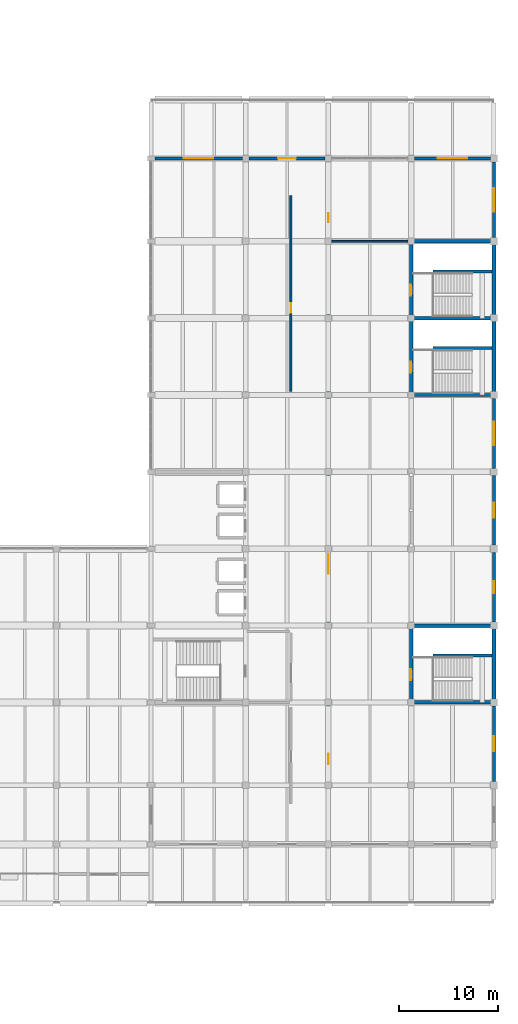
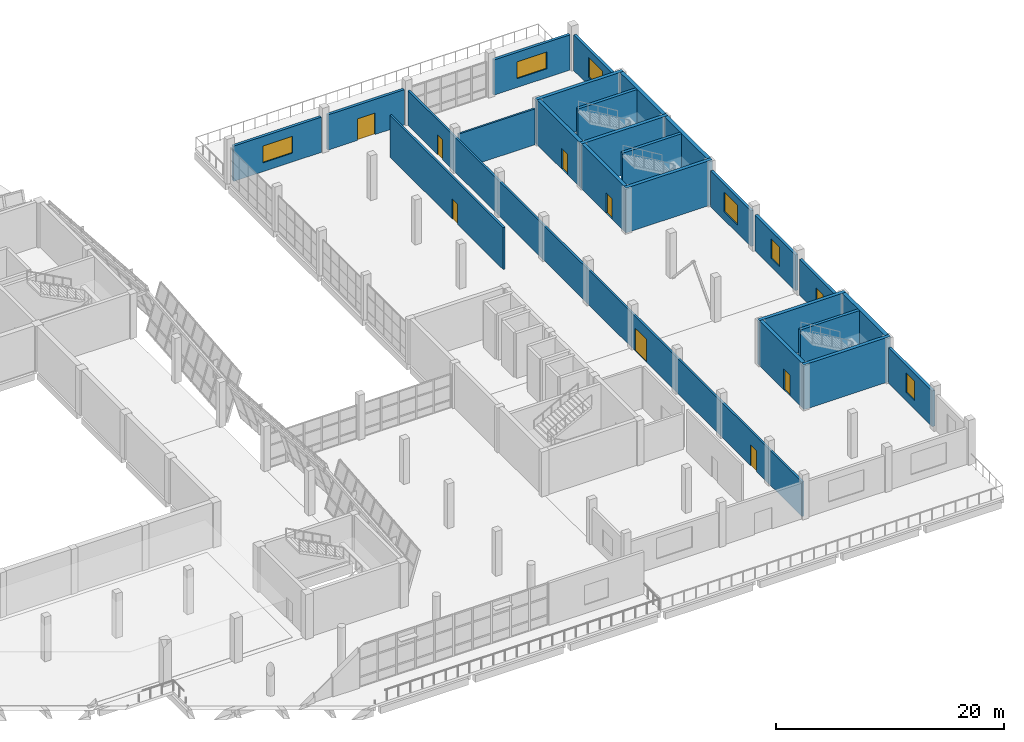
# One storey, part 69 of 79: 25 walls, 8 doors, 7 windows, 15 openings.
"""IFC4 building model written with IfcOpenShell, lengths in metres."""

from ifc_helpers import new_model, si_unit, direction, frame, frame_2d, origin, place, context, subcontext, project, spatial, rectangle, extrude, material, layer, layer_set, type_object, element, fill, save


model = new_model("IFC4")

# Units and contexts
model_context = context("Model", 3, precision=1e-05, world=origin(), true_north=direction((0.0, 1.0)))
body_context = subcontext(model_context, "Body", "Model", "MODEL_VIEW")
ifc_project = project(units=[si_unit("LENGTHUNIT", "METRE"), si_unit("AREAUNIT", "SQUARE_METRE"), si_unit("VOLUMEUNIT", "CUBIC_METRE"), si_unit("PLANEANGLEUNIT", "RADIAN"), si_unit("MASSUNIT", "GRAM", prefix="KILO")], contexts=[model_context])

# Site, building, storey
site_placement = place(None, origin())
site = spatial("IfcSite", under=ifc_project, at=site_placement, CompositionType="ELEMENT")
building_placement = place(site_placement, origin())
building = spatial("IfcBuilding", under=site, at=building_placement, Name="Pellamere Symphony Hall", CompositionType="ELEMENT")
storey_placement = place(building_placement, frame((0.0, 0.0, 10.199951171875)))
storey = spatial("IfcBuildingStorey", under=building, at=storey_placement, Name="L02", CompositionType="ELEMENT", Elevation=10.199951171875)

# Wall, opening, window
ifc_material_1 = material(Name="Architectural Limestone-Clad Insulated Backing Assembly", Category="masonry")
ifc_layer_1 = layer(ifc_material_1, 0.280029296875, Name="Architectural Limestone-Clad Insulated Backing Assembly")
ifc_layer_set_1 = layer_set([ifc_layer_1], Name="Architectural Limestone-Clad Insulated Backing Assembly")
wall_type_1 = type_object("IfcWallType", Name="Exterior Wall EW-03 280mm", PredefinedType="SOLIDWALL", material=ifc_layer_set_1)
wall_1_placement = place(storey_placement, frame((138.375, 93.60009765625, 0.0), z_axis=(0.0, 0.0, 1.0), x_axis=(1.0, 0.0, 0.0)))
wall_1 = element("IfcWall", 1, at=wall_1_placement, inside=storey, type_object=wall_type_1, Name="Exterior Wall EW-03-101 (L02)", PredefinedType="SOLIDWALL", context=body_context, shape_type="SweptSolid", body=[
    extrude(rectangle(XDim=8.89990234375, YDim=0.280029296875, at=frame_2d((4.449951171875, 0.0))), origin(), (0.0, 0.0, 1.0), 3.77001953125),
])
opening_1_placement = place(wall_1_placement, frame((2.949951171875, 0.0, 0.949951171875)))
opening_1 = element("IfcOpeningElement", 2, at=opening_1_placement, cuts=wall_1, Name="Opening W065", PredefinedType="OPENING", context=body_context, shape_type="SweptSolid", body=[
    extrude(rectangle(XDim=3.0, YDim=1.800048828125, at=frame_2d((1.5, 0.89990234375))), frame((0.0, 0.14990234375, 0.0), z_axis=(0.0, -1.0, 0.0), x_axis=(1.0, 0.0, 0.0)), (0.0, 0.0, 1.0), 0.300048828125),
])
ifc_material_2 = material(Name="Thermally Broken Aluminium Triple-Glazed Acoustic Window", Category="aluminium")
window_type_1 = type_object("IfcWindowType", Name="Window WN-16 3000x1800", PartitioningType="TRIPLE_PANEL_VERTICAL", PredefinedType="WINDOW", material=ifc_material_2)
window_1_placement = place(opening_1_placement, origin())
window_1 = element("IfcWindow", 3, at=window_1_placement, inside=storey, type_object=window_type_1, Name="Exterior Window W065 (L02)", OverallHeight=1.800048828125, OverallWidth=3.0, PartitioningType="SINGLE_PANEL", PredefinedType="WINDOW", context=body_context, shape_type="SweptSolid", body=[
    extrude(rectangle(XDim=3.0, YDim=1.800048828125, at=frame_2d((1.5, 0.89990234375))), frame((0.0, 0.030029296875, 0.0), z_axis=(0.0, -1.0, 0.0), x_axis=(1.0, 0.0, 0.0)), (0.0, 0.0, 1.0), 0.06005859375),
])
fill(opening_1, window_1)

# Wall, opening, door
wall_2_placement = place(storey_placement, frame((147.925048828125, 93.60009765625, 0.0), z_axis=(0.0, 0.0, 1.0), x_axis=(1.0, 0.0, 0.0)))
wall_2 = element("IfcWall", 4, at=wall_2_placement, inside=storey, type_object=wall_type_1, Name="Exterior Wall EW-03-102 (L02)", PredefinedType="SOLIDWALL", context=body_context, shape_type="SweptSolid", body=[
    extrude(rectangle(XDim=7.75, YDim=0.280029296875, at=frame_2d((3.875, 0.0))), origin(), (0.0, 0.0, 1.0), 3.77001953125),
])
opening_2_placement = place(wall_2_placement, frame((2.97509765625, 0.0, 0.0)))
opening_2 = element("IfcOpeningElement", 5, at=opening_2_placement, cuts=wall_2, Name="Opening TD-10", PredefinedType="OPENING", context=body_context, shape_type="SweptSolid", body=[
    extrude(rectangle(XDim=1.800048828125, YDim=2.300048828125, at=frame_2d((0.89990234375, 1.14990234375))), frame((0.0, 0.14990234375, 0.0), z_axis=(0.0, -1.0, 0.0), x_axis=(1.0, 0.0, 0.0)), (0.0, 0.0, 1.0), 0.300048828125),
])
ifc_material_3 = material(Name="Thermally Broken Bronze-Anodised Aluminium Acoustic Door", Category="aluminium")
door_type_1 = type_object("IfcDoorType", Name="Exterior Door ED-06 1800x2300", OperationType="NOTDEFINED", PredefinedType="DOOR", material=ifc_material_3)
door_1_placement = place(opening_2_placement, origin())
door_1 = element("IfcDoor", 6, at=door_1_placement, inside=storey, type_object=door_type_1, Name="North Artists Roof Terrace Door", OperationType="DOUBLE_DOOR_SINGLE_SWING", OverallHeight=2.300048828125, OverallWidth=1.800048828125, PredefinedType="DOOR", context=body_context, shape_type="SweptSolid", body=[
    extrude(rectangle(XDim=1.800048828125, YDim=2.300048828125, at=frame_2d((0.89990234375, 1.14990234375))), frame((0.0, 0.02490234375, 0.0), z_axis=(0.0, -1.0, 0.0), x_axis=(1.0, 0.0, 0.0)), (0.0, 0.0, 1.0), 0.050048828125),
])
fill(opening_2, door_1)

# Wall, opening, window
wall_3_placement = place(storey_placement, frame((164.72509765625, 93.60009765625, 0.0), z_axis=(0.0, 0.0, 1.0), x_axis=(1.0, 0.0, 0.0)))
wall_3 = element("IfcWall", 7, at=wall_3_placement, inside=storey, type_object=wall_type_1, Name="Exterior Wall EW-03-103 (L02)", PredefinedType="SOLIDWALL", context=body_context, shape_type="SweptSolid", body=[
    extrude(rectangle(XDim=7.71484375, YDim=0.280029296875, at=frame_2d((3.857421875, 0.0))), origin(), (0.0, 0.0, 1.0), 3.77001953125),
])
opening_3_placement = place(wall_3_placement, frame((2.357421875, 0.0, 0.949951171875)))
opening_3 = element("IfcOpeningElement", 8, at=opening_3_placement, cuts=wall_3, Name="Opening W066", PredefinedType="OPENING", context=body_context, shape_type="SweptSolid", body=[
    extrude(rectangle(XDim=3.0, YDim=1.800048828125, at=frame_2d((1.5, 0.89990234375))), frame((0.0, 0.14990234375, 0.0), z_axis=(0.0, -1.0, 0.0), x_axis=(1.0, 0.0, 0.0)), (0.0, 0.0, 1.0), 0.300048828125),
])
window_2_placement = place(opening_3_placement, origin())
window_2 = element("IfcWindow", 9, at=window_2_placement, inside=storey, type_object=window_type_1, Name="Exterior Window W066 (L02)", OverallHeight=1.800048828125, OverallWidth=3.0, PartitioningType="SINGLE_PANEL", PredefinedType="WINDOW", context=body_context, shape_type="SweptSolid", body=[
    extrude(rectangle(XDim=3.0, YDim=1.800048828125, at=frame_2d((1.5, 0.89990234375))), frame((0.0, 0.030029296875, 0.0), z_axis=(0.0, -1.0, 0.0), x_axis=(1.0, 0.0, 0.0)), (0.0, 0.0, 1.0), 0.06005859375),
])
fill(opening_3, window_2)

wall_4_placement = place(storey_placement, frame((172.800048828125, 30.360107421875, 0.0), z_axis=(0.0, 0.0, 1.0), x_axis=(0.0, 1.0, 0.0)))
wall_4 = element("IfcWall", 10, at=wall_4_placement, inside=storey, type_object=wall_type_1, Name="Exterior Wall EW-03-105 (L02)", PredefinedType="SOLIDWALL", context=body_context, shape_type="SweptSolid", body=[
    extrude(rectangle(XDim=7.679931640625, YDim=0.280029296875, at=frame_2d((3.83984375, 0.0))), origin(), (0.0, 0.0, 1.0), 3.820068359375),
])
opening_4_placement = place(wall_4_placement, frame((3.090087890625, 0.0, 0.89990234375)))
opening_4 = element("IfcOpeningElement", 11, at=opening_4_placement, cuts=wall_4, Name="Opening W068", PredefinedType="OPENING", context=body_context, shape_type="SweptSolid", body=[
    extrude(rectangle(XDim=1.5, YDim=2.10009765625, at=frame_2d((0.75, 1.050048828125))), frame((0.0, 0.14990234375, 0.0), z_axis=(0.0, -1.0, 0.0), x_axis=(1.0, 0.0, 0.0)), (0.0, 0.0, 1.0), 0.300048828125),
])
window_type_2 = type_object("IfcWindowType", Name="Window WN-01 1500x2100", PartitioningType="SINGLE_PANEL", PredefinedType="WINDOW", material=ifc_material_2)
window_3_placement = place(opening_4_placement, origin())
window_3 = element("IfcWindow", 12, at=window_3_placement, inside=storey, type_object=window_type_2, Name="Exterior Window W068 (L02)", OverallHeight=2.10009765625, OverallWidth=1.5, PartitioningType="SINGLE_PANEL", PredefinedType="WINDOW", context=body_context, shape_type="SweptSolid", body=[
    extrude(rectangle(XDim=1.5, YDim=2.10009765625, at=frame_2d((0.75, 1.050048828125))), frame((0.0, 0.030029296875, 0.0), z_axis=(0.0, -1.0, 0.0), x_axis=(1.0, 0.0, 0.0)), (0.0, 0.0, 1.0), 0.06005859375),
])
fill(opening_4, window_3)

wall_5_placement = place(storey_placement, frame((172.800048828125, 46.56005859375, 0.0), z_axis=(0.0, 0.0, 1.0), x_axis=(0.0, 1.0, 0.0)))
wall_5 = element("IfcWall", 13, at=wall_5_placement, inside=storey, type_object=wall_type_1, Name="Exterior Wall EW-03-106 (L02)", PredefinedType="SOLIDWALL", context=body_context, shape_type="SweptSolid", body=[
    extrude(rectangle(XDim=7.079833984375, YDim=0.280029296875, at=frame_2d((3.5400390625, 0.0))), origin(), (0.0, 0.0, 1.0), 3.820068359375),
])
opening_5_placement = place(wall_5_placement, frame((2.93994140625, 0.0, 0.89990234375)))
opening_5 = element("IfcOpeningElement", 14, at=opening_5_placement, cuts=wall_5, Name="Opening W069", PredefinedType="OPENING", context=body_context, shape_type="SweptSolid", body=[
    extrude(rectangle(XDim=1.199951171875, YDim=1.64990234375, at=frame_2d((0.60009765625, 0.824951171875))), frame((0.0, 0.14990234375, 0.0), z_axis=(0.0, -1.0, 0.0), x_axis=(1.0, 0.0, 0.0)), (0.0, 0.0, 1.0), 0.300048828125),
])
window_type_3 = type_object("IfcWindowType", Name="Window WN-07 1200x1650", PartitioningType="SINGLE_PANEL", PredefinedType="WINDOW", material=ifc_material_2)
window_4_placement = place(opening_5_placement, origin())
window_4 = element("IfcWindow", 15, at=window_4_placement, inside=storey, type_object=window_type_3, Name="Exterior Window W069 (L02)", OverallHeight=1.64990234375, OverallWidth=1.199951171875, PartitioningType="SINGLE_PANEL", PredefinedType="WINDOW", context=body_context, shape_type="SweptSolid", body=[
    extrude(rectangle(XDim=1.199951171875, YDim=1.64990234375, at=frame_2d((0.60009765625, 0.824951171875))), frame((0.0, 0.030029296875, 0.0), z_axis=(0.0, -1.0, 0.0), x_axis=(1.0, 0.0, 0.0)), (0.0, 0.0, 1.0), 0.06005859375),
])
fill(opening_5, window_4)

wall_6_placement = place(storey_placement, frame((172.800048828125, 54.360107421875, 0.0), z_axis=(0.0, 0.0, 1.0), x_axis=(0.0, 1.0, 0.0)))
wall_6 = element("IfcWall", 16, at=wall_6_placement, inside=storey, type_object=wall_type_1, Name="Exterior Wall EW-03-107 (L02)", PredefinedType="SOLIDWALL", context=body_context, shape_type="SweptSolid", body=[
    extrude(rectangle(XDim=7.079833984375, YDim=0.280029296875, at=frame_2d((3.5400390625, 0.0))), origin(), (0.0, 0.0, 1.0), 3.820068359375),
])
opening_6_placement = place(wall_6_placement, frame((2.7900390625, 0.0, 0.89990234375)))
opening_6 = element("IfcOpeningElement", 17, at=opening_6_placement, cuts=wall_6, Name="Opening W070", PredefinedType="OPENING", context=body_context, shape_type="SweptSolid", body=[
    extrude(rectangle(XDim=1.5, YDim=2.10009765625, at=frame_2d((0.75, 1.050048828125))), frame((0.0, 0.14990234375, 0.0), z_axis=(0.0, -1.0, 0.0), x_axis=(1.0, 0.0, 0.0)), (0.0, 0.0, 1.0), 0.300048828125),
])
window_5_placement = place(opening_6_placement, origin())
window_5 = element("IfcWindow", 18, at=window_5_placement, inside=storey, type_object=window_type_2, Name="Exterior Window W070 (L02)", OverallHeight=2.10009765625, OverallWidth=1.5, PartitioningType="SINGLE_PANEL", PredefinedType="WINDOW", context=body_context, shape_type="SweptSolid", body=[
    extrude(rectangle(XDim=1.5, YDim=2.10009765625, at=frame_2d((0.75, 1.050048828125))), frame((0.0, 0.030029296875, 0.0), z_axis=(0.0, -1.0, 0.0), x_axis=(1.0, 0.0, 0.0)), (0.0, 0.0, 1.0), 0.06005859375),
])
fill(opening_6, window_5)

wall_7_placement = place(storey_placement, frame((172.800048828125, 62.159912109375, 0.0), z_axis=(0.0, 0.0, 1.0), x_axis=(0.0, 1.0, 0.0)))
wall_7 = element("IfcWall", 19, at=wall_7_placement, inside=storey, type_object=wall_type_1, Name="Exterior Wall EW-03-108 (L02)", PredefinedType="SOLIDWALL", context=body_context, shape_type="SweptSolid", body=[
    extrude(rectangle(XDim=7.080078125, YDim=0.280029296875, at=frame_2d((3.5400390625, 0.0))), origin(), (0.0, 0.0, 1.0), 3.820068359375),
])
opening_7_placement = place(wall_7_placement, frame((2.340087890625, 0.0, 0.89990234375)))
opening_7 = element("IfcOpeningElement", 20, at=opening_7_placement, cuts=wall_7, Name="Opening W071", PredefinedType="OPENING", context=body_context, shape_type="SweptSolid", body=[
    extrude(rectangle(XDim=2.39990234375, YDim=2.10009765625, at=frame_2d((1.199951171875, 1.050048828125))), frame((0.0, 0.14990234375, 0.0), z_axis=(0.0, -1.0, 0.0), x_axis=(1.0, 0.0, 0.0)), (0.0, 0.0, 1.0), 0.300048828125),
])
window_type_4 = type_object("IfcWindowType", Name="Window WN-02 2400x2100", PartitioningType="DOUBLE_PANEL_VERTICAL", PredefinedType="WINDOW", material=ifc_material_2)
window_6_placement = place(opening_7_placement, origin())
window_6 = element("IfcWindow", 21, at=window_6_placement, inside=storey, type_object=window_type_4, Name="Exterior Window W071 (L02)", OverallHeight=2.10009765625, OverallWidth=2.39990234375, PartitioningType="SINGLE_PANEL", PredefinedType="WINDOW", context=body_context, shape_type="SweptSolid", body=[
    extrude(rectangle(XDim=2.39990234375, YDim=2.10009765625, at=frame_2d((1.199951171875, 1.050048828125))), frame((0.0, 0.030029296875, 0.0), z_axis=(0.0, -1.0, 0.0), x_axis=(1.0, 0.0, 0.0)), (0.0, 0.0, 1.0), 0.06005859375),
])
fill(opening_7, window_6)

wall_8_placement = place(storey_placement, frame((172.800048828125, 85.56005859375, 0.0), z_axis=(0.0, 0.0, 1.0), x_axis=(0.0, 1.0, 0.0)))
wall_8 = element("IfcWall", 22, at=wall_8_placement, inside=storey, type_object=wall_type_1, Name="Exterior Wall EW-03-109 (L02)", PredefinedType="SOLIDWALL", context=body_context, shape_type="SweptSolid", body=[
    extrude(rectangle(XDim=7.679931640625, YDim=0.280029296875, at=frame_2d((3.83984375, 0.0))), origin(), (0.0, 0.0, 1.0), 3.820068359375),
])
opening_8_placement = place(wall_8_placement, frame((2.639892578125, 0.0, 0.89990234375)))
opening_8 = element("IfcOpeningElement", 23, at=opening_8_placement, cuts=wall_8, Name="Opening W072", PredefinedType="OPENING", context=body_context, shape_type="SweptSolid", body=[
    extrude(rectangle(XDim=2.39990234375, YDim=2.10009765625, at=frame_2d((1.199951171875, 1.050048828125))), frame((0.0, 0.14990234375, 0.0), z_axis=(0.0, -1.0, 0.0), x_axis=(1.0, 0.0, 0.0)), (0.0, 0.0, 1.0), 0.300048828125),
])
window_7_placement = place(opening_8_placement, origin())
window_7 = element("IfcWindow", 24, at=window_7_placement, inside=storey, type_object=window_type_4, Name="Exterior Window W072 (L02)", OverallHeight=2.10009765625, OverallWidth=2.39990234375, PartitioningType="SINGLE_PANEL", PredefinedType="WINDOW", context=body_context, shape_type="SweptSolid", body=[
    extrude(rectangle(XDim=2.39990234375, YDim=2.10009765625, at=frame_2d((1.199951171875, 1.050048828125))), frame((0.0, 0.030029296875, 0.0), z_axis=(0.0, -1.0, 0.0), x_axis=(1.0, 0.0, 0.0)), (0.0, 0.0, 1.0), 0.06005859375),
])
fill(opening_8, window_7)

# Wall, opening, door
ifc_material_4 = material(Name="Fire-Rated STC-58 Corridor Acoustic Partition", Category="gypsum")
ifc_layer_2 = layer(ifc_material_4, 0.199951171875, Name="Fire-Rated STC-58 Corridor Acoustic Partition")
ifc_layer_set_2 = layer_set([ifc_layer_2], Name="Fire-Rated STC-58 Corridor Acoustic Partition")
wall_type_2 = type_object("IfcWallType", Name="Interior Partition IW-02 200mm", PredefinedType="PARTITIONING", material=ifc_layer_set_2)
wall_9_placement = place(storey_placement, frame((152.199951171875, 69.9599609375, 0.0), z_axis=(0.0, 0.0, 1.0), x_axis=(0.0, 1.0, 0.0)))
wall_9 = element("IfcWall", 25, at=wall_9_placement, inside=storey, type_object=wall_type_2, Name="Interior Partition IW-02-085 (L02)", PredefinedType="PARTITIONING", context=body_context, shape_type="SweptSolid", body=[
    extrude(rectangle(XDim=19.880126953125, YDim=0.199951171875, at=frame_2d((9.93994140625, 0.0))), origin(), (0.0, 0.0, 1.0), 4.489990234375),
])
opening_9_placement = place(wall_9_placement, frame((8.0, 0.0, 0.0)))
opening_9 = element("IfcOpeningElement", 26, at=opening_9_placement, cuts=wall_9, Name="Opening ID-RM1-047", PredefinedType="OPENING", context=body_context, shape_type="SweptSolid", body=[
    extrude(rectangle(XDim=0.949951171875, YDim=2.14990234375, at=frame_2d((0.47509765625, 1.074951171875))), frame((0.0, 0.10986328125, 0.0), z_axis=(0.0, -1.0, 0.0), x_axis=(1.0, 0.0, 0.0)), (0.0, 0.0, 1.0), 0.219970703125),
])
ifc_material_5 = material(Name="Solid-Core White Oak Room Door", Category="wood")
door_type_2 = type_object("IfcDoorType", Name="Interior Door ID-RM1 950x2150", OperationType="NOTDEFINED", PredefinedType="DOOR", material=ifc_material_5)
door_2_placement = place(opening_9_placement, origin())
door_2 = element("IfcDoor", 27, at=door_2_placement, inside=storey, type_object=door_type_2, Name="Artistic Planning Suite Door", OperationType="SINGLE_SWING_RIGHT", OverallHeight=2.14990234375, OverallWidth=0.949951171875, PredefinedType="DOOR", context=body_context, shape_type="SweptSolid", body=[
    extrude(rectangle(XDim=0.949951171875, YDim=2.14990234375, at=frame_2d((0.47509765625, 1.074951171875))), frame((0.0, 0.02490234375, 0.0), z_axis=(0.0, -1.0, 0.0), x_axis=(1.0, 0.0, 0.0)), (0.0, 0.0, 1.0), 0.050048828125),
])
fill(opening_9, door_2)

# Wall, openings, doors
wall_10_placement = place(storey_placement, frame((156.0, 24.14990234375, 0.0), z_axis=(0.0, 0.0, 1.0), x_axis=(0.0, 1.0, 0.0)))
wall_10 = element("IfcWall", 28, at=wall_10_placement, inside=storey, type_object=wall_type_2, Name="Interior Partition IW-02-086 (L02)", PredefinedType="PARTITIONING", context=body_context, shape_type="SweptSolid", body=[
    extrude(rectangle(XDim=69.1201171875, YDim=0.199951171875, at=frame_2d((34.56005859375, 0.0))), origin(), (0.0, 0.0, 1.0), 3.719970703125),
])
opening_10_placement = place(wall_10_placement, frame((8.0, 0.0, 0.0)))
opening_10 = element("IfcOpeningElement", 29, at=opening_10_placement, cuts=wall_10, Name="Opening ID-AD2-048", PredefinedType="OPENING", context=body_context, shape_type="SweptSolid", body=[
    extrude(rectangle(XDim=1.050048828125, YDim=2.25, at=frame_2d((0.52490234375, 1.125))), frame((0.0, 0.10986328125, 0.0), z_axis=(0.0, -1.0, 0.0), x_axis=(1.0, 0.0, 0.0)), (0.0, 0.0, 1.0), 0.219970703125),
])
opening_11_placement = place(wall_10_placement, frame((27.300048828125, 0.0, 0.0)))
opening_11 = element("IfcOpeningElement", 30, at=opening_11_placement, cuts=wall_10, Name="Opening ID-AD1-049", PredefinedType="OPENING", context=body_context, shape_type="SweptSolid", body=[
    extrude(rectangle(XDim=2.0, YDim=2.449951171875, at=frame_2d((1.0, 1.22509765625))), frame((0.0, 0.10986328125, 0.0), z_axis=(0.0, -1.0, 0.0), x_axis=(1.0, 0.0, 0.0)), (0.0, 0.0, 1.0), 0.219970703125),
])
opening_12_placement = place(wall_10_placement, frame((63.0, 0.0, 0.0)))
opening_12 = element("IfcOpeningElement", 31, at=opening_12_placement, cuts=wall_10, Name="Opening ID-WC1-050", PredefinedType="OPENING", context=body_context, shape_type="SweptSolid", body=[
    extrude(rectangle(XDim=0.919921875, YDim=2.14990234375, at=frame_2d((0.4599609375, 1.074951171875))), frame((0.0, 0.10986328125, 0.0), z_axis=(0.0, -1.0, 0.0), x_axis=(1.0, 0.0, 0.0)), (0.0, 0.0, 1.0), 0.219970703125),
])
ifc_material_6 = material(Name="STC-55 Solid White Oak Acoustic Hall Entry Door", Category="wood")
door_type_3 = type_object("IfcDoorType", Name="Interior Door ID-AD1 2000x2450", OperationType="NOTDEFINED", PredefinedType="DOOR", material=ifc_material_6)
door_3_placement = place(opening_11_placement, origin())
door_3 = element("IfcDoor", 32, at=door_3_placement, inside=storey, type_object=door_type_3, Name="Pre-Concert Lecture Recital Door", OperationType="DOUBLE_DOOR_SINGLE_SWING", OverallHeight=2.449951171875, OverallWidth=2.0, PredefinedType="DOOR", context=body_context, shape_type="SweptSolid", body=[
    extrude(rectangle(XDim=2.0, YDim=2.449951171875, at=frame_2d((1.0, 1.22509765625))), frame((0.0, 0.02490234375, 0.0), z_axis=(0.0, -1.0, 0.0), x_axis=(1.0, 0.0, 0.0)), (0.0, 0.0, 1.0), 0.050048828125),
])
fill(opening_11, door_3)
ifc_material_7 = material(Name="STC-50 Oak Acoustic Studio Door", Category="wood")
door_type_4 = type_object("IfcDoorType", Name="Interior Door ID-AD2 1050x2250", OperationType="NOTDEFINED", PredefinedType="DOOR", material=ifc_material_7)
door_4_placement = place(opening_10_placement, origin())
door_4 = element("IfcDoor", 33, at=door_4_placement, inside=storey, type_object=door_type_4, Name="Baroque Ensemble Studio Door", OperationType="SINGLE_SWING_RIGHT", OverallHeight=2.25, OverallWidth=1.050048828125, PredefinedType="DOOR", context=body_context, shape_type="SweptSolid", body=[
    extrude(rectangle(XDim=1.050048828125, YDim=2.25, at=frame_2d((0.52490234375, 1.125))), frame((0.0, 0.02490234375, 0.0), z_axis=(0.0, -1.0, 0.0), x_axis=(1.0, 0.0, 0.0)), (0.0, 0.0, 1.0), 0.050048828125),
])
fill(opening_10, door_4)
ifc_material_8 = material(Name="Accessible Washroom Privacy Door", Category="wood")
door_type_5 = type_object("IfcDoorType", Name="Interior Door ID-WC1 920x2150", OperationType="NOTDEFINED", PredefinedType="DOOR", material=ifc_material_8)
door_5_placement = place(opening_12_placement, origin())
door_5 = element("IfcDoor", 34, at=door_5_placement, inside=storey, type_object=door_type_5, Name="Level 2 Staff Washroom Door", OperationType="SINGLE_SWING_LEFT", OverallHeight=2.14990234375, OverallWidth=0.919921875, PredefinedType="DOOR", context=body_context, shape_type="SweptSolid", body=[
    extrude(rectangle(XDim=0.919921875, YDim=2.14990234375, at=frame_2d((0.4599609375, 1.074951171875))), frame((0.0, 0.02490234375, 0.0), z_axis=(0.0, -1.0, 0.0), x_axis=(1.0, 0.0, 0.0)), (0.0, 0.0, 1.0), 0.050048828125),
])
fill(opening_12, door_5)

# Walls
ifc_material_9 = material(Name="Moisture-Resistant Ceramic-Tiled Washroom Wall", Category="gypsum")
ifc_layer_3 = layer(ifc_material_9, 0.179931640625, Name="Moisture-Resistant Ceramic-Tiled Washroom Wall")
ifc_layer_set_3 = layer_set([ifc_layer_3], Name="Moisture-Resistant Ceramic-Tiled Washroom Wall")
wall_type_3 = type_object("IfcWallType", Name="Interior Partition IW-06 180mm", PredefinedType="PARTITIONING", material=ifc_layer_set_3)
wall_11_placement = place(storey_placement, frame((156.330078125, 85.199951171875, 0.0), z_axis=(0.0, 0.0, 1.0), x_axis=(1.0, 0.0, 0.0)))
element("IfcWall", 35, at=wall_11_placement, inside=storey, type_object=wall_type_3, Name="Interior Partition IW-06-087 (L02)", PredefinedType="PARTITIONING", context=body_context, shape_type="SweptSolid", body=[
    extrude(rectangle(XDim=7.72998046875, YDim=0.179931640625, at=frame_2d((3.864990234375, 0.0))), origin(), (0.0, 0.0, 1.0), 3.840087890625),
])
ifc_material_10 = material(Name="Concrete 40 MPa", Category="concrete")
ifc_layer_4 = layer(ifc_material_10, 0.35009765625, Name="Concrete 40 MPa")
ifc_layer_set_4 = layer_set([ifc_layer_4], Name="Concrete 40 MPa")
wall_type_4 = type_object("IfcWallType", Name="Structural Wall SW-03 350mm", PredefinedType="SHEAR", material=ifc_layer_set_4)
for number, where, z_axis, x_axis, name in (
    (36, (164.22509765625, 69.60009765625, 0.0), (0.0, 0.0, 1.0), (1.0, 0.0, 0.0), "Stair ST05 Enclosure Wall S (L02)"),
    (37, (164.22509765625, 77.39990234375, 0.0), (0.0, 0.0, 1.0), (1.0, 0.0, 0.0), "Stair ST05 Enclosure Wall N (L02)"),
):
    element("IfcWall", number, at=place(storey_placement, frame(where, z_axis=z_axis, x_axis=x_axis)), inside=storey, type_object=wall_type_4, Name=name, PredefinedType="SHEAR", context=body_context, shape_type="SweptSolid", body=[
        extrude(rectangle(XDim=8.75, YDim=0.35009765625, at=frame_2d((4.375, 0.0))), origin(), (0.0, 0.0, 1.0), 4.800048828125),
    ])

# Wall, opening, door
wall_12_placement = place(storey_placement, frame((164.39990234375, 69.77490234375, 0.0), z_axis=(0.0, 0.0, 1.0), x_axis=(0.0, 1.0, 0.0)))
wall_12 = element("IfcWall", 38, at=wall_12_placement, inside=storey, type_object=wall_type_4, Name="Stair ST05 Enclosure Wall W (L02)", PredefinedType="SHEAR", context=body_context, shape_type="SweptSolid", body=[
    extrude(rectangle(XDim=7.4501953125, YDim=0.35009765625, at=frame_2d((3.72509765625, 0.0))), origin(), (0.0, 0.0, 1.0), 4.800048828125),
])
opening_13_placement = place(wall_12_placement, frame((2.10009765625, 0.0, 0.0)))
opening_13 = element("IfcOpeningElement", 39, at=opening_13_placement, cuts=wall_12, Name="Opening SD-25", PredefinedType="OPENING", context=body_context, shape_type="SweptSolid", body=[
    extrude(rectangle(XDim=1.10009765625, YDim=2.199951171875, at=frame_2d((0.550048828125, 1.10009765625))), frame((0.0, 0.18505859375, 0.0), z_axis=(0.0, -1.0, 0.0), x_axis=(1.0, 0.0, 0.0)), (0.0, 0.0, 1.0), 0.3701171875),
])
ifc_material_11 = material(Name="Fire-Rated Steel Exit Stair Door", Category="steel")
door_type_6 = type_object("IfcDoorType", Name="Interior Door ID-SD1 1100x2200", OperationType="NOTDEFINED", PredefinedType="DOOR", material=ifc_material_11)
door_6_placement = place(opening_13_placement, frame((1.10009765625, 0.0, 0.0), z_axis=(0.0, 0.0, 1.0), x_axis=(-1.0, 0.0, 0.0)))
door_6 = element("IfcDoor", 40, at=door_6_placement, inside=storey, type_object=door_type_6, Name="Exit Stair ST05 Door (L02)", OperationType="SINGLE_SWING_LEFT", OverallHeight=2.199951171875, OverallWidth=1.10009765625, PredefinedType="DOOR", context=body_context, shape_type="SweptSolid", body=[
    extrude(rectangle(XDim=1.10009765625, YDim=2.199951171875, at=frame_2d((0.550048828125, 1.10009765625))), frame((0.0, 0.02490234375, 0.0), z_axis=(0.0, -1.0, 0.0), x_axis=(1.0, 0.0, 0.0)), (0.0, 0.0, 1.0), 0.050048828125),
])
fill(opening_13, door_6)

# Walls
for number, where, z_axis, x_axis, name in (
    (41, (164.22509765625, 38.39990234375, 0.0), (0.0, 0.0, 1.0), (1.0, 0.0, 0.0), "Stair ST06 Enclosure Wall S (L02)"),
    (42, (164.22509765625, 46.199951171875, 0.0), (0.0, 0.0, 1.0), (1.0, 0.0, 0.0), "Stair ST06 Enclosure Wall N (L02)"),
):
    element("IfcWall", number, at=place(storey_placement, frame(where, z_axis=z_axis, x_axis=x_axis)), inside=storey, type_object=wall_type_4, Name=name, PredefinedType="SHEAR", context=body_context, shape_type="SweptSolid", body=[
        extrude(rectangle(XDim=8.75, YDim=0.35009765625, at=frame_2d((4.375, 0.0))), origin(), (0.0, 0.0, 1.0), 4.800048828125),
    ])

# Wall, opening, door
wall_13_placement = place(storey_placement, frame((164.39990234375, 38.574951171875, 0.0), z_axis=(0.0, 0.0, 1.0), x_axis=(0.0, 1.0, 0.0)))
wall_13 = element("IfcWall", 43, at=wall_13_placement, inside=storey, type_object=wall_type_4, Name="Stair ST06 Enclosure Wall W (L02)", PredefinedType="SHEAR", context=body_context, shape_type="SweptSolid", body=[
    extrude(rectangle(XDim=7.449951171875, YDim=0.35009765625, at=frame_2d((3.72509765625, 0.0))), origin(), (0.0, 0.0, 1.0), 4.800048828125),
])
opening_14_placement = place(wall_13_placement, frame((2.10009765625, 0.0, 0.0)))
opening_14 = element("IfcOpeningElement", 44, at=opening_14_placement, cuts=wall_13, Name="Opening SD-32", PredefinedType="OPENING", context=body_context, shape_type="SweptSolid", body=[
    extrude(rectangle(XDim=1.10009765625, YDim=2.199951171875, at=frame_2d((0.550048828125, 1.10009765625))), frame((0.0, 0.18505859375, 0.0), z_axis=(0.0, -1.0, 0.0), x_axis=(1.0, 0.0, 0.0)), (0.0, 0.0, 1.0), 0.3701171875),
])
door_7_placement = place(opening_14_placement, frame((1.10009765625, 0.0, 0.0), z_axis=(0.0, 0.0, 1.0), x_axis=(-1.0, 0.0, 0.0)))
door_7 = element("IfcDoor", 45, at=door_7_placement, inside=storey, type_object=door_type_6, Name="Exit Stair ST06 Door (L02)", OperationType="SINGLE_SWING_RIGHT", OverallHeight=2.199951171875, OverallWidth=1.10009765625, PredefinedType="DOOR", context=body_context, shape_type="SweptSolid", body=[
    extrude(rectangle(XDim=1.10009765625, YDim=2.199951171875, at=frame_2d((0.550048828125, 1.10009765625))), frame((0.0, 0.02490234375, 0.0), z_axis=(0.0, -1.0, 0.0), x_axis=(1.0, 0.0, 0.0)), (0.0, 0.0, 1.0), 0.050048828125),
])
fill(opening_14, door_7)

# Wall
wall_14_placement = place(storey_placement, frame((164.22509765625, 85.199951171875, 0.0), z_axis=(0.0, 0.0, 1.0), x_axis=(1.0, 0.0, 0.0)))
element("IfcWall", 46, at=wall_14_placement, inside=storey, type_object=wall_type_4, Name="Stair ST14 Enclosure Wall N (L02)", PredefinedType="SHEAR", context=body_context, shape_type="SweptSolid", body=[
    extrude(rectangle(XDim=8.75, YDim=0.35009765625, at=frame_2d((4.375, 0.0))), origin(), (0.0, 0.0, 1.0), 4.800048828125),
])

# Wall, opening, door
wall_15_placement = place(storey_placement, frame((164.39990234375, 77.574951171875, 0.0), z_axis=(0.0, 0.0, 1.0), x_axis=(0.0, 1.0, 0.0)))
wall_15 = element("IfcWall", 47, at=wall_15_placement, inside=storey, type_object=wall_type_4, Name="Stair ST14 Enclosure Wall W (L02)", PredefinedType="SHEAR", context=body_context, shape_type="SweptSolid", body=[
    extrude(rectangle(XDim=7.449951171875, YDim=0.35009765625, at=frame_2d((3.72509765625, 0.0))), origin(), (0.0, 0.0, 1.0), 4.800048828125),
])
opening_15_placement = place(wall_15_placement, frame((2.10009765625, 0.0, 0.0)))
opening_15 = element("IfcOpeningElement", 48, at=opening_15_placement, cuts=wall_15, Name="Opening SD-66", PredefinedType="OPENING", context=body_context, shape_type="SweptSolid", body=[
    extrude(rectangle(XDim=1.10009765625, YDim=2.199951171875, at=frame_2d((0.550048828125, 1.10009765625))), frame((0.0, 0.18505859375, 0.0), z_axis=(0.0, -1.0, 0.0), x_axis=(1.0, 0.0, 0.0)), (0.0, 0.0, 1.0), 0.3701171875),
])
door_8_placement = place(opening_15_placement, frame((1.10009765625, 0.0, 0.0), z_axis=(0.0, 0.0, 1.0), x_axis=(-1.0, 0.0, 0.0)))
door_8 = element("IfcDoor", 49, at=door_8_placement, inside=storey, type_object=door_type_6, Name="Exit Stair ST14 Door (L02)", OperationType="SINGLE_SWING_RIGHT", OverallHeight=2.199951171875, OverallWidth=1.10009765625, PredefinedType="DOOR", context=body_context, shape_type="SweptSolid", body=[
    extrude(rectangle(XDim=1.10009765625, YDim=2.199951171875, at=frame_2d((0.550048828125, 1.10009765625))), frame((0.0, 0.02490234375, 0.0), z_axis=(0.0, -1.0, 0.0), x_axis=(1.0, 0.0, 0.0)), (0.0, 0.0, 1.0), 0.050048828125),
])
fill(opening_15, door_8)

# Walls
ifc_layer_5 = layer(ifc_material_10, 0.300048828125, Name="Concrete 40 MPa")
ifc_layer_set_5 = layer_set([ifc_layer_5], Name="Concrete 40 MPa")
wall_type_5 = type_object("IfcWallType", Name="Structural Wall SW-04 300mm", PredefinedType="SHEAR", material=ifc_layer_set_5)
for number, where, z_axis, x_axis, name in (
    (50, (166.625, 74.35009765625, 0.0), (0.0, 0.0, 1.0), (1.0, 0.0, 0.0), "Stair ST05 Discharge Divider Wall (L02)"),
    (51, (166.625, 43.14990234375, 0.0), (0.0, 0.0, 1.0), (1.0, 0.0, 0.0), "Stair ST06 Discharge Divider Wall (L02)"),
    (52, (166.625, 82.14990234375, 0.0), (0.0, 0.0, 1.0), (1.0, 0.0, 0.0), "Stair ST14 Discharge Divider Wall (L02)"),
):
    element("IfcWall", number, at=place(storey_placement, frame(where, z_axis=z_axis, x_axis=x_axis)), inside=storey, type_object=wall_type_5, Name=name, PredefinedType="SHEAR", context=body_context, shape_type="SweptSolid", body=[
        extrude(rectangle(XDim=5.9951171875, YDim=0.300048828125, at=frame_2d((2.99755859375, 0.0))), origin(), (0.0, 0.0, 1.0), 4.800048828125),
    ])
ifc_layer_6 = layer(ifc_material_10, 0.3798828125, Name="Concrete 40 MPa")
ifc_layer_set_6 = layer_set([ifc_layer_6], Name="Concrete 40 MPa")
wall_type_6 = type_object("IfcWallType", Name="Structural Wall SW-07 380mm", PredefinedType="SHEAR", material=ifc_layer_set_6)
wall_16_placement = place(storey_placement, frame((172.800048828125, 69.77490234375, 0.0), z_axis=(0.0, 0.0, 1.0), x_axis=(0.0, 1.0, 0.0)))
element("IfcWall", 53, at=wall_16_placement, inside=storey, type_object=wall_type_6, Name="Stair ST05 Enclosure Wall E (L02)", PredefinedType="SHEAR", context=body_context, shape_type="SweptSolid", body=[
    extrude(rectangle(XDim=7.4501953125, YDim=0.3798828125, at=frame_2d((3.72509765625, 0.0))), origin(), (0.0, 0.0, 1.0), 4.800048828125),
])
for number, where, z_axis, x_axis, name in (
    (54, (172.800048828125, 38.574951171875, 0.0), (0.0, 0.0, 1.0), (0.0, 1.0, 0.0), "Stair ST06 Enclosure Wall E (L02)"),
    (55, (172.800048828125, 77.574951171875, 0.0), (0.0, 0.0, 1.0), (0.0, 1.0, 0.0), "Stair ST14 Enclosure Wall E (L02)"),
):
    element("IfcWall", number, at=place(storey_placement, frame(where, z_axis=z_axis, x_axis=x_axis)), inside=storey, type_object=wall_type_6, Name=name, PredefinedType="SHEAR", context=body_context, shape_type="SweptSolid", body=[
        extrude(rectangle(XDim=7.449951171875, YDim=0.3798828125, at=frame_2d((3.72509765625, 0.0))), origin(), (0.0, 0.0, 1.0), 4.800048828125),
    ])

save(model, "model.ifc")
